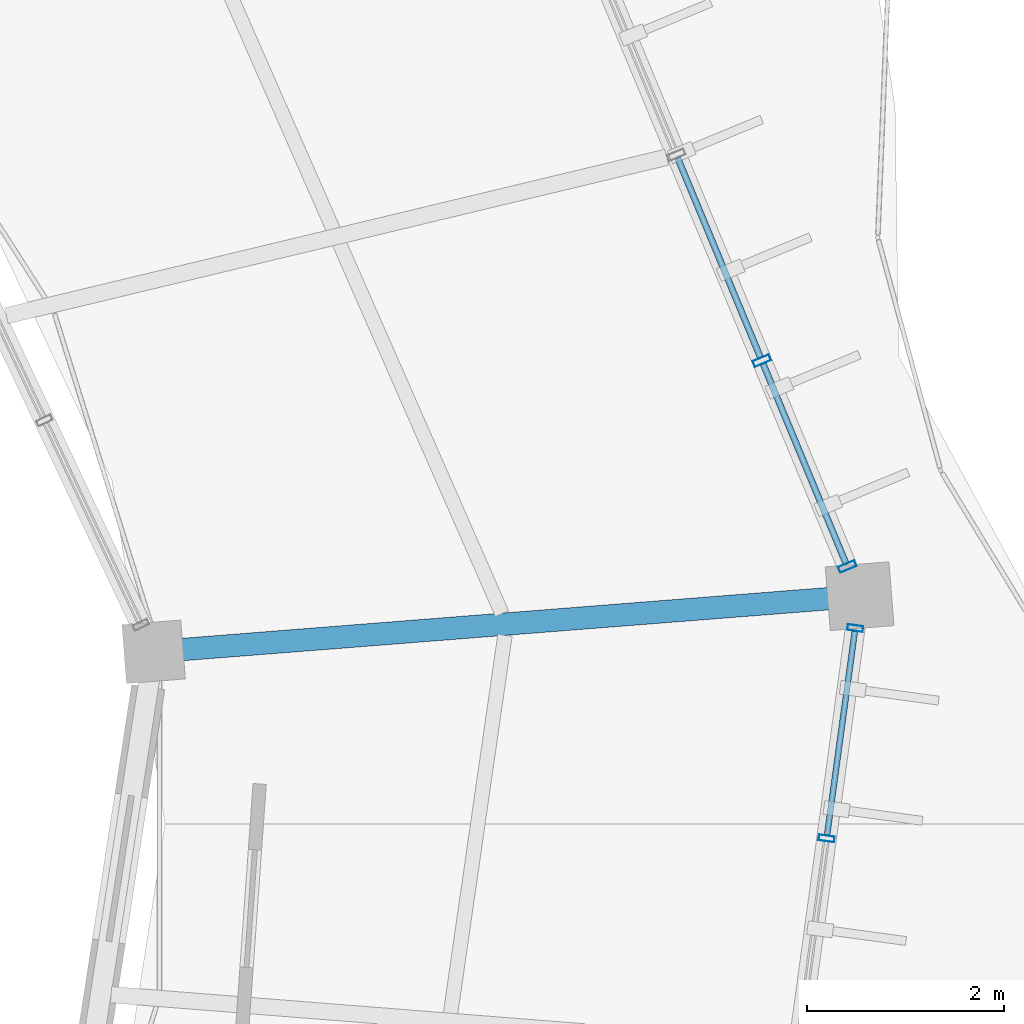
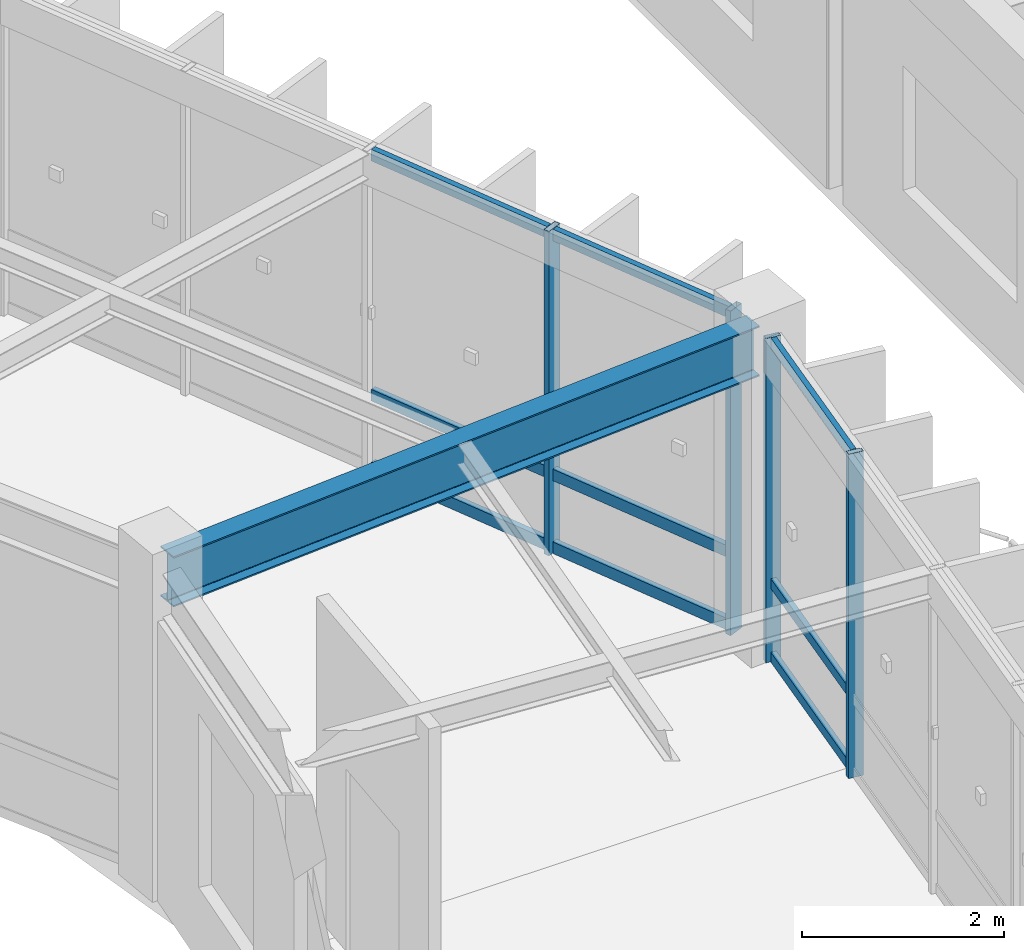
# One storey, part 78 of 114: 13 members, 1 beam, 2 elements without a shape of their own.
"""IFC4 building model written with IfcOpenShell, lengths in metres."""

from ifc_helpers import new_model, si_unit, direction, frame, origin, origin_2d, place, context, subcontext, project, spatial, hollow_rectangle, i_section, extrude, material, material_profile, profile_set, type_object, element, aggregate, save


model = new_model("IFC4")

# Units and contexts
model_context = context("Model", 3, precision=1e-05, world=origin(), true_north=direction((0.0, 1.0)))
body_context = subcontext(model_context, "Body", "Model", "MODEL_VIEW")
ifc_project = project(units=[si_unit("LENGTHUNIT", "METRE"), si_unit("AREAUNIT", "SQUARE_METRE"), si_unit("VOLUMEUNIT", "CUBIC_METRE"), si_unit("PLANEANGLEUNIT", "RADIAN"), si_unit("MASSUNIT", "GRAM", prefix="KILO"), si_unit("THERMODYNAMICTEMPERATUREUNIT", "KELVIN"), si_unit("POWERUNIT", "WATT")], contexts=[model_context])

# Site, building, storey
site_placement = place(None, origin())
site = spatial("IfcSite", under=ifc_project, at=site_placement, CompositionType="ELEMENT")
building_placement = place(site_placement, origin())
building = spatial("IfcBuilding", under=site, at=building_placement, Name="Darbajah Civic Hall", CompositionType="ELEMENT")
storey_placement = place(building_placement, frame((0.0, 0.0, 13.800048828125)))
storey = spatial("IfcBuildingStorey", under=building, at=storey_placement, Name="L03", CompositionType="ELEMENT", Elevation=13.800048828125)

# Curtain wall, members
ifc_material_1 = material(Name="Anodised Bronze Aluminium and Low-E Glazing", Category="aluminium")
curtain_wall_type_1 = type_object("IfcCurtainWallType", Name="Unitised Curtain Wall CW-53 8600x3900", PredefinedType="USERDEFINED", material=ifc_material_1)
curtain_wall_1_placement = place(storey_placement, origin())
curtain_wall_1 = element("IfcCurtainWall", 1, at=curtain_wall_1_placement, inside=storey, type_object=curtain_wall_type_1, Name="L03 unitised curtain wall CW-V1O-L03-19", ObjectType="UNITISED CURTAIN WALL", PredefinedType="USERDEFINED")
ifc_material_2 = material(Name="Anodised Bronze Aluminium", Category="aluminium")
ifc_material_profile_1 = material_profile(ifc_material_2, hollow_rectangle(XDim=0.06005859375, YDim=0.159912109375, WallThickness=0.00341796875, at=origin_2d()), Name="ALU MULLION 60x160")
ifc_profile_set_1 = profile_set([ifc_material_profile_1], Name="Anodised Bronze Aluminium")
member_type_1 = type_object("IfcMemberType", Name="ALU MULLION 60x160", PredefinedType="MULLION", material=ifc_profile_set_1)
member_1_placement = place(storey_placement, frame((139.60791015625, 89.652099609375, 0.0), z_axis=(0.0, 0.0, 1.0), x_axis=(0.134850930274, 0.990865897387, 0.0)))
member_1 = element("IfcMember", 2, at=member_1_placement, type_object=member_type_1, Name="CW-V1O-L03-19 mullion 4", PredefinedType="MULLION", context=body_context, shape_type="SweptSolid", body=[
    extrude(hollow_rectangle(XDim=0.06005859375, YDim=0.159912109375, WallThickness=0.00341796875, at=origin_2d()), origin(), (0.0, 0.0, 1.0), 3.919921875),
])
member_2_placement = place(storey_placement, frame((139.898681640625, 91.79052734375, 0.0), z_axis=(0.0, 0.0, 1.0), x_axis=(0.134850930274, 0.990865897387, 0.0)))
member_2 = element("IfcMember", 3, at=member_2_placement, type_object=member_type_1, Name="CW-V1O-L03-19 mullion 5", PredefinedType="MULLION", context=body_context, shape_type="SweptSolid", body=[
    extrude(hollow_rectangle(XDim=0.06005859375, YDim=0.159912109375, WallThickness=0.00341796875, at=origin_2d()), origin(), (0.0, 0.0, 1.0), 3.919921875),
])

curtain_wall_type_2 = type_object("IfcCurtainWallType", Name="Unitised Curtain Wall CW-54 9100x3900", PredefinedType="USERDEFINED", material=ifc_material_1)
curtain_wall_2_placement = place(storey_placement, origin())
curtain_wall_2 = element("IfcCurtainWall", 4, at=curtain_wall_2_placement, inside=storey, type_object=curtain_wall_type_2, Name="L03 unitised curtain wall CW-V1O-L03-00", ObjectType="UNITISED CURTAIN WALL", PredefinedType="USERDEFINED")
ifc_material_profile_2 = material_profile(ifc_material_2, hollow_rectangle(XDim=0.06494140625, YDim=0.179931640625, WallThickness=0.00390625, at=origin_2d()), Name="ALU MULLION 65x180")
ifc_profile_set_2 = profile_set([ifc_material_profile_2], Name="Anodised Bronze Aluminium")
member_type_2 = type_object("IfcMemberType", Name="ALU MULLION 65x180", PredefinedType="MULLION", material=ifc_profile_set_2)
member_3_placement = place(storey_placement, frame((139.8173828125, 92.41650390625, 0.0), z_axis=(0.0, 0.0, 1.0), x_axis=(-0.383328328644, 0.923612143954, 0.0)))
member_3 = element("IfcMember", 5, at=member_3_placement, type_object=member_type_2, Name="CW-V1O-L03-00 mullion 1", PredefinedType="MULLION", context=body_context, shape_type="SweptSolid", body=[
    extrude(hollow_rectangle(XDim=0.06494140625, YDim=0.179931640625, WallThickness=0.00390625, at=origin_2d()), origin(), (0.0, 0.0, 1.0), 3.919921875),
])
member_4_placement = place(storey_placement, frame((138.948974609375, 94.50927734375, 0.0), z_axis=(0.0, 0.0, 1.0), x_axis=(-0.383328328644, 0.923612143954, 0.0)))
member_4 = element("IfcMember", 6, at=member_4_placement, type_object=member_type_2, Name="CW-V1O-L03-00 mullion 2", PredefinedType="MULLION", context=body_context, shape_type="SweptSolid", body=[
    extrude(hollow_rectangle(XDim=0.06494140625, YDim=0.179931640625, WallThickness=0.00390625, at=origin_2d()), origin(), (0.0, 0.0, 1.0), 3.919921875),
])

# Member
ifc_material_profile_3 = material_profile(ifc_material_2, hollow_rectangle(XDim=0.06005859375, YDim=0.1201171875, WallThickness=0.003173828125, at=origin_2d()), Name="ALU TRANSOM 60x120")
ifc_profile_set_3 = profile_set([ifc_material_profile_3], Name="Anodised Bronze Aluminium")
member_type_3 = type_object("IfcMemberType", Name="ALU TRANSOM 60x120", PredefinedType="USERDEFINED", material=ifc_profile_set_3)
member_5_placement = place(storey_placement, frame((139.612548828125, 89.68701171875, 0.06005859375), z_axis=(0.134820990929, 0.990869971492, 0.0), x_axis=(-0.990869971492, 0.134820990929, 0.0)))
member_5 = element("IfcMember", 7, at=member_5_placement, type_object=member_type_3, Name="CW-V1O-L03-19 transom 4.1", ObjectType="TRANSOM", PredefinedType="USERDEFINED", context=body_context, shape_type="SweptSolid", body=[
    extrude(hollow_rectangle(XDim=0.06005859375, YDim=0.1201171875, WallThickness=0.003173828125, at=origin_2d()), origin(), (0.0, 0.0, 1.0), 2.087890625),
])

member_6_placement = place(storey_placement, frame((139.612548828125, 89.68701171875, 0.949951171875), z_axis=(0.134820990929, 0.990869971492, 0.0), x_axis=(-0.990869971492, 0.134820990929, 0.0)))
member_6 = element("IfcMember", 8, at=member_6_placement, type_object=member_type_3, Name="CW-V1O-L03-19 transom 4.2", ObjectType="TRANSOM", PredefinedType="USERDEFINED", context=body_context, shape_type="SweptSolid", body=[
    extrude(hollow_rectangle(XDim=0.06005859375, YDim=0.1201171875, WallThickness=0.003173828125, at=origin_2d()), origin(), (0.0, 0.0, 1.0), 2.087890625),
])

member_7_placement = place(storey_placement, frame((139.612548828125, 89.68701171875, 3.85986328125), z_axis=(0.134820990929, 0.990869971492, 0.0), x_axis=(-0.990869971492, 0.134820990929, 0.0)))
member_7 = element("IfcMember", 9, at=member_7_placement, type_object=member_type_3, Name="CW-V1O-L03-19 transom 4.3", ObjectType="TRANSOM", PredefinedType="USERDEFINED", context=body_context, shape_type="SweptSolid", body=[
    extrude(hollow_rectangle(XDim=0.06005859375, YDim=0.1201171875, WallThickness=0.003173828125, at=origin_2d()), origin(), (0.0, 0.0, 1.0), 2.087890625),
])

aggregate(curtain_wall_1, [member_1, member_2, member_5, member_6, member_7])

ifc_material_profile_4 = material_profile(ifc_material_2, hollow_rectangle(XDim=0.06494140625, YDim=0.139892578125, WallThickness=0.00341796875, at=origin_2d()), Name="ALU TRANSOM 65x140")
ifc_profile_set_4 = profile_set([ifc_material_profile_4], Name="Anodised Bronze Aluminium")
member_type_4 = type_object("IfcMemberType", Name="ALU TRANSOM 65x140", PredefinedType="USERDEFINED", material=ifc_profile_set_4)
member_8_placement = place(storey_placement, frame((139.802978515625, 92.451171875, 0.070068359375), z_axis=(-0.383348974226, 0.923603575112, 0.0), x_axis=(-0.923603575112, -0.383348974226, 0.0)))
member_8 = element("IfcMember", 10, at=member_8_placement, type_object=member_type_4, Name="CW-V1O-L03-00 transom 1.1", ObjectType="TRANSOM", PredefinedType="USERDEFINED", context=body_context, shape_type="SweptSolid", body=[
    extrude(hollow_rectangle(XDim=0.06494140625, YDim=0.139892578125, WallThickness=0.00341796875, at=origin_2d()), origin(), (0.0, 0.0, 1.0), 2.19091796875),
])

member_9_placement = place(storey_placement, frame((139.802978515625, 92.451171875, 0.949951171875), z_axis=(-0.383348974226, 0.923603575112, 0.0), x_axis=(-0.923603575112, -0.383348974226, 0.0)))
member_9 = element("IfcMember", 11, at=member_9_placement, type_object=member_type_4, Name="CW-V1O-L03-00 transom 1.2", ObjectType="TRANSOM", PredefinedType="USERDEFINED", context=body_context, shape_type="SweptSolid", body=[
    extrude(hollow_rectangle(XDim=0.06494140625, YDim=0.139892578125, WallThickness=0.00341796875, at=origin_2d()), origin(), (0.0, 0.0, 1.0), 2.19091796875),
])

member_10_placement = place(storey_placement, frame((139.802978515625, 92.451171875, 3.849853515625), z_axis=(-0.383348974226, 0.923603575112, 0.0), x_axis=(-0.923603575112, -0.383348974226, 0.0)))
member_10 = element("IfcMember", 12, at=member_10_placement, type_object=member_type_4, Name="CW-V1O-L03-00 transom 1.3", ObjectType="TRANSOM", PredefinedType="USERDEFINED", context=body_context, shape_type="SweptSolid", body=[
    extrude(hollow_rectangle(XDim=0.06494140625, YDim=0.139892578125, WallThickness=0.00341796875, at=origin_2d()), origin(), (0.0, 0.0, 1.0), 2.19091796875),
])

member_11_placement = place(storey_placement, frame((138.9345703125, 94.543701171875, 0.070068359375), z_axis=(-0.383348974226, 0.923603575112, 0.0), x_axis=(-0.923603575112, -0.383348974226, 0.0)))
member_11 = element("IfcMember", 13, at=member_11_placement, type_object=member_type_4, Name="CW-V1O-L03-00 transom 2.1", ObjectType="TRANSOM", PredefinedType="USERDEFINED", context=body_context, shape_type="SweptSolid", body=[
    extrude(hollow_rectangle(XDim=0.06494140625, YDim=0.139892578125, WallThickness=0.00341796875, at=origin_2d()), origin(), (0.0, 0.0, 1.0), 2.19091796875),
])

member_12_placement = place(storey_placement, frame((138.9345703125, 94.543701171875, 0.949951171875), z_axis=(-0.383348974226, 0.923603575112, 0.0), x_axis=(-0.923603575112, -0.383348974226, 0.0)))
member_12 = element("IfcMember", 14, at=member_12_placement, type_object=member_type_4, Name="CW-V1O-L03-00 transom 2.2", ObjectType="TRANSOM", PredefinedType="USERDEFINED", context=body_context, shape_type="SweptSolid", body=[
    extrude(hollow_rectangle(XDim=0.06494140625, YDim=0.139892578125, WallThickness=0.00341796875, at=origin_2d()), origin(), (0.0, 0.0, 1.0), 2.19091796875),
])

member_13_placement = place(storey_placement, frame((138.9345703125, 94.543701171875, 3.849853515625), z_axis=(-0.383348974226, 0.923603575112, 0.0), x_axis=(-0.923603575112, -0.383348974226, 0.0)))
member_13 = element("IfcMember", 15, at=member_13_placement, type_object=member_type_4, Name="CW-V1O-L03-00 transom 2.3", ObjectType="TRANSOM", PredefinedType="USERDEFINED", context=body_context, shape_type="SweptSolid", body=[
    extrude(hollow_rectangle(XDim=0.06494140625, YDim=0.139892578125, WallThickness=0.00341796875, at=origin_2d()), origin(), (0.0, 0.0, 1.0), 2.19091796875),
])

aggregate(curtain_wall_2, [member_3, member_4, member_8, member_9, member_10, member_11, member_12, member_13])

# Beam
ifc_material_3 = material(Name="Steel S355JR", Category="steel")
ifc_material_profile_5 = material_profile(ifc_material_3, i_section(OverallWidth=0.228271484375, OverallDepth=0.607666015625, WebThickness=0.010986328125, FlangeThickness=0.017333984375, FilletRadius=0.0126953125, at=origin_2d()), Name="UB 610x229x113")
ifc_profile_set_5 = profile_set([ifc_material_profile_5], Name="Steel S355JR")
beam_type = type_object("IfcBeamType", Name="UB 610x229x113", PredefinedType="BEAM", material=ifc_profile_set_5)
beam_placement = place(storey_placement, frame((132.8447265625, 91.555908203125, 3.6162109375), z_axis=(0.996918521601, 0.078444000969, 0.0), x_axis=(-0.078444000969, 0.996918521601, 0.0)))
element("IfcBeam", 16, at=beam_placement, inside=storey, type_object=beam_type, Name="L03 beam SB-610", PredefinedType="BEAM", context=body_context, shape_type="SweptSolid", body=[
    extrude(i_section(OverallWidth=0.228271484375, OverallDepth=0.607666015625, WebThickness=0.010986328125, FlangeThickness=0.017333984375, FilletRadius=0.0126953125, at=origin_2d()), origin(), (0.0, 0.0, 1.0), 7.0400390625),
])

save(model, "model.ifc")
